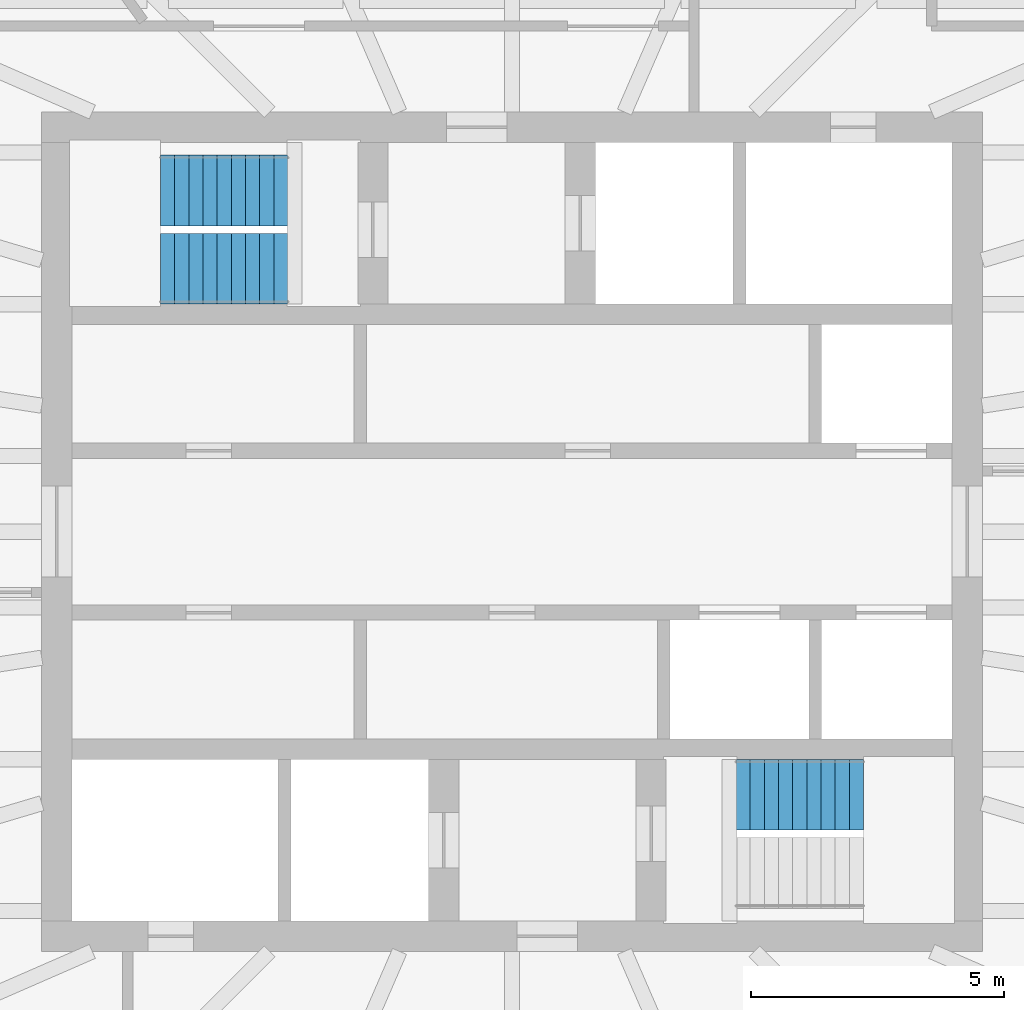
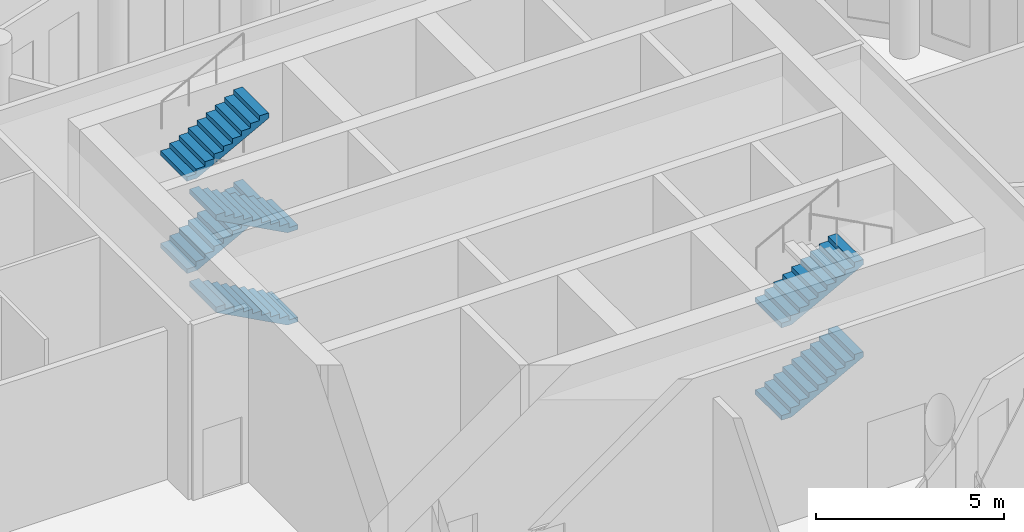
# One storey, part 8 of 11: 6 stair flights, 2 elements without a shape of their own.
"""IFC4 building model written with IfcOpenShell, lengths in metres."""

import ifcopenshell
import ifcopenshell.guid

model = None  # the IFC model being written
_history = None  # IfcOwnerHistory: only IFC2X3 demands one
_inside = {}  # id of a spatial element -> (the spatial element, [elements in it])
_under = {}  # id of a project, library or spatial element -> (it, [spatial elements below it])
_declared = {}  # id of a project -> (the project, [libraries it declares])
_typed = {}  # id of a type object -> (the type object, [elements of that type])
_made_of = {}  # id of a material, layer set ... -> (it, [elements and type objects made of it])


def new_model(schema):
    """Start an empty IFC model of exactly this schema.

    Asked for "IFC4X3", IfcOpenShell would pick the latest addendum, in which some entities
    have other attributes; the version numbers below select the first issue.
    IFC2X3 requires an IfcOwnerHistory on every rooted entity: one is made here for all.
    """
    global model, _history
    if schema == "IFC4X3":
        model = ifcopenshell.file(schema_version=(4, 3, 0, 0))
    else:
        model = ifcopenshell.file(schema=schema)
    _inside.clear()
    _under.clear()
    _declared.clear()
    _typed.clear()
    _made_of.clear()
    _history = None
    if model.schema == "IFC2X3":
        org = make("IfcOrganization", Name="unknown")
        user = make(
            "IfcPersonAndOrganization",
            ThePerson=make("IfcPerson", FamilyName="unknown"),
            TheOrganization=org,
        )
        app = make(
            "IfcApplication",
            ApplicationDeveloper=org,
            Version="unknown",
            ApplicationFullName="unknown",
            ApplicationIdentifier="unknown",
        )
        _history = make(
            "IfcOwnerHistory",
            OwningUser=user,
            OwningApplication=app,
            ChangeAction="ADDED",
            CreationDate=0,
        )
    return model


def make(cls, **values):
    """One entity of the class cls with the attributes given. An attribute that is None is left unset."""
    return model.create_entity(
        cls, **{name: value for name, value in values.items() if value is not None}
    )


def rooted(cls, **values):
    """An entity with a GlobalId (a new one), such as an element, a storey or a relation."""
    return make(cls, GlobalId=ifcopenshell.guid.new(), OwnerHistory=_history, **values)


def si_unit(unit_type, name, prefix=None):
    """IfcSIUnit, for example si_unit("LENGTHUNIT", "METRE", prefix="MILLI")."""
    return make("IfcSIUnit", UnitType=unit_type, Prefix=prefix, Name=name)


def assignment(units):
    """IfcUnitAssignment: the units of a project."""
    return None if units is None else make("IfcUnitAssignment", Units=units)


def point(xyz):
    """IfcCartesianPoint."""
    return None if xyz is None else make("IfcCartesianPoint", Coordinates=xyz)


def direction(xyz):
    """IfcDirection."""
    return None if xyz is None else make("IfcDirection", DirectionRatios=xyz)


def frame(location, z_axis=None, x_axis=None):
    """IfcAxis2Placement3D, a coordinate frame: its origin and axes. An axis left out is left unset."""
    return make(
        "IfcAxis2Placement3D",
        Location=point(location),
        Axis=direction(z_axis),
        RefDirection=direction(x_axis),
    )


def origin():
    """The frame at (0, 0, 0) with its axes left unset."""
    return frame((0.0, 0.0, 0.0))


def place(relative_to, where):
    """IfcLocalPlacement: puts the frame where relative to a parent placement (None: the world)."""
    return make(
        "IfcLocalPlacement", PlacementRelTo=relative_to, RelativePlacement=where
    )


def context(
    kind, dimensions, precision=None, world=None, true_north=None, identifier=None
):
    """IfcGeometricRepresentationContext, for example the 3D "Model" context."""
    return make(
        "IfcGeometricRepresentationContext",
        ContextIdentifier=identifier,
        ContextType=kind,
        CoordinateSpaceDimension=dimensions,
        Precision=precision,
        WorldCoordinateSystem=world,
        TrueNorth=true_north,
    )


def subcontext(parent, identifier, kind, view, scale=None):
    """IfcGeometricRepresentationSubContext, for example "Body" below "Model"."""
    return make(
        "IfcGeometricRepresentationSubContext",
        ContextIdentifier=identifier,
        ContextType=kind,
        ParentContext=parent,
        TargetScale=scale,
        TargetView=view,
    )


def project(units=None, contexts=None):
    """IfcProject with its units and contexts."""
    return rooted(
        "IfcProject",
        Name="project",
        RepresentationContexts=contexts,
        UnitsInContext=assignment(units),
    )


def spatial(cls, under=None, at=None, **own):
    """A site, building, storey or space (cls), placed at a placement, below another one or the project."""
    s = rooted(cls, ObjectPlacement=at, **own)
    if under is not None:
        _under.setdefault(under.id(), (under, []))[1].append(s)
    return s


def polyline(points):
    """IfcPolyline through the points."""
    return make("IfcPolyline", Points=[point(p) for p in points])


def outline(outer, holes=None, kind="AREA"):
    """IfcArbitraryClosedProfileDef: a profile drawn as a closed curve; with holes, ...WithVoids."""
    if holes is None:
        return make("IfcArbitraryClosedProfileDef", ProfileType=kind, OuterCurve=outer)
    return make(
        "IfcArbitraryProfileDefWithVoids",
        ProfileType=kind,
        OuterCurve=outer,
        InnerCurves=holes,
    )


def extrude(swept, where, along, depth):
    """IfcExtrudedAreaSolid: the profile swept, set in the frame where, extruded along a direction by depth."""
    return make(
        "IfcExtrudedAreaSolid",
        SweptArea=swept,
        Position=where,
        ExtrudedDirection=direction(along),
        Depth=depth,
    )


def shape(context_of_items, identifier, shape_type, items):
    """IfcShapeRepresentation: the items that make up one representation, for example the "Body"."""
    return make(
        "IfcShapeRepresentation",
        ContextOfItems=context_of_items,
        RepresentationIdentifier=identifier,
        RepresentationType=shape_type,
        Items=items,
    )


def material(Name=None, Category=None):
    """IfcMaterial."""
    return make("IfcMaterial", Name=Name, Category=Category)


def made_of(thing, what):
    """Note that an element or type object is made of a material, layer set ...; save() writes the relation."""
    if what is not None:
        _made_of.setdefault(what.id(), (what, []))[1].append(thing)
    return thing


def type_object(cls, material=None, **own):
    """A type object (cls), such as IfcWallType, which elements share."""
    return made_of(rooted(cls, **own), material)


def element(
    cls,
    number,
    at=None,
    inside=None,
    cuts=None,
    type_object=None,
    material=None,
    context=None,
    identifier="Body",
    shape_type=None,
    held_by="IfcProductDefinitionShape",
    body=None,
    shapes=None,
    **own,
):
    """One element of the class cls, such as IfcWall. Its Tag is "e" and its number.

    at: its placement. inside: the storey or other place that contains it. cuts: it is an
    opening in that element (IfcRelVoidsElement). A single representation is given by context,
    identifier, shape_type and body (its items); several are given by shapes. held_by: the class
    of the entity that holds the representations. save() writes the other relations.
    """
    e = rooted(cls, Tag="e%d" % number, ObjectPlacement=at, **own)
    if body is not None:
        shapes = [shape(context, identifier, shape_type, body)]
    if shapes is not None:
        e.Representation = make(held_by, Representations=shapes)
    if inside is not None:
        _inside.setdefault(inside.id(), (inside, []))[1].append(e)
    if cuts is not None:
        rooted(
            "IfcRelVoidsElement", RelatingBuildingElement=cuts, RelatedOpeningElement=e
        )
    if type_object is not None:
        _typed.setdefault(type_object.id(), (type_object, []))[1].append(e)
    return made_of(e, material)


def aggregate(whole, parts):
    """IfcRelAggregates: a whole, such as a stair, and the parts it consists of."""
    return rooted("IfcRelAggregates", RelatingObject=whole, RelatedObjects=parts)


def save(model, path):
    """Write the relations noted so far, then the file.

    IfcRelAggregates (storeys below a building ...), IfcRelContainedInSpatialStructure (elements
    in a storey), IfcRelDefinesByType, IfcRelAssociatesMaterial and IfcRelDeclares: one each for
    every whole, place, type object, material and project.
    """
    for whole, parts in _under.values():
        aggregate(whole, parts)
    for where, things in _inside.values():
        rooted(
            "IfcRelContainedInSpatialStructure",
            RelatedElements=things,
            RelatingStructure=where,
        )
    for kind, things in _typed.values():
        rooted("IfcRelDefinesByType", RelatedObjects=things, RelatingType=kind)
    for what, things in _made_of.values():
        rooted("IfcRelAssociatesMaterial", RelatedObjects=things, RelatingMaterial=what)
    for by, libraries in _declared.values():
        rooted("IfcRelDeclares", RelatingContext=by, RelatedDefinitions=libraries)
    model.write(path)


model = new_model("IFC4")

# Units and contexts
model_context = context("Model", 3, precision=1e-05, world=origin(), true_north=direction((0.0, 1.0)))
body_context = subcontext(model_context, "Body", "Model", "MODEL_VIEW")
ifc_project = project(units=[si_unit("LENGTHUNIT", "METRE"), si_unit("AREAUNIT", "SQUARE_METRE"), si_unit("VOLUMEUNIT", "CUBIC_METRE"), si_unit("PLANEANGLEUNIT", "RADIAN"), si_unit("MASSUNIT", "GRAM", prefix="KILO")], contexts=[model_context])

# Site, building, storey
site_placement = place(None, origin())
site = spatial("IfcSite", under=ifc_project, at=site_placement, CompositionType="ELEMENT")
building_placement = place(site_placement, origin())
building = spatial("IfcBuilding", under=site, at=building_placement, Name="Hankou Lantern Tower", CompositionType="ELEMENT")
storey_placement = place(building_placement, frame((0.0, 0.0, 242.699951171875)))
storey = spatial("IfcBuildingStorey", under=building, at=storey_placement, Name="L65", CompositionType="ELEMENT", Elevation=242.699951171875)

# Stair, stair flights
ifc_material_1 = material(Name="Concrete C40", Category="concrete")
stair_type = type_object("IfcStairType", Name="ST60 CORE STAIR 6000 RISE", PredefinedType="HALF_TURN_STAIR", material=ifc_material_1)
stair_1_placement = place(storey_placement, origin())
stair_1 = element("IfcStair", 1, at=stair_1_placement, inside=storey, type_object=stair_type, Name="Stair STA L65", PredefinedType="HALF_TURN_STAIR")
ifc_material_2 = material(Name="Concrete C40", Category="concrete")
stair_flight_type = type_object("IfcStairFlightType", Name="CF10 CORE STAIR FLIGHT 1400 X 10 RISERS", PredefinedType="STRAIGHT", material=ifc_material_2)
stair_flight_1_placement = place(storey_placement, frame((-4.429931640625, 5.199951171875, 0.0), z_axis=(0.0, 0.0, 1.0), x_axis=(-1.0, 0.0, 0.0)))
stair_flight_1 = element("IfcStairFlight", 2, at=stair_flight_1_placement, type_object=stair_flight_type, Name="STA flight 1", NumberOfRisers=10, NumberOfTreads=9, PredefinedType="STRAIGHT", RiserHeight=0.15, TreadLength=0.28, context=body_context, shape_type="SweptSolid", body=[
    extrude(outline(polyline([(0.0, 0.0), (0.0, 0.14990234375), (0.280029296875, 0.14990234375), (0.280029296875, 0.300048828125), (0.56005859375, 0.300048828125), (0.56005859375, 0.449951171875), (0.840087890625, 0.449951171875), (0.840087890625, 0.60009765625), (1.1201171875, 0.60009765625), (1.1201171875, 0.75), (1.39990234375, 0.75), (1.39990234375, 0.89990234375), (1.679931640625, 0.89990234375), (1.679931640625, 1.050048828125), (1.9599609375, 1.050048828125), (1.9599609375, 1.199951171875), (2.239990234375, 1.199951171875), (2.239990234375, 1.35009765625), (2.52001953125, 1.35009765625), (2.52001953125, 1.5), (2.52001953125, 1.179931640625), (0.3173828125, 0.0), (0.0, 0.0)])), frame((0.0, 0.699951171875, 0.0), z_axis=(0.0, -1.0, 0.0), x_axis=(1.0, 0.0, 0.0)), (0.0, 0.0, 1.0), 1.39990234375),
])
stair_flight_2_placement = place(storey_placement, frame((-6.949951171875, 6.75, 1.5), z_axis=(0.0, 0.0, 1.0), x_axis=(1.0, 0.0, 0.0)))
stair_flight_2 = element("IfcStairFlight", 3, at=stair_flight_2_placement, type_object=stair_flight_type, Name="STA flight 2", NumberOfRisers=10, NumberOfTreads=9, PredefinedType="STRAIGHT", RiserHeight=0.15, TreadLength=0.28, context=body_context, shape_type="SweptSolid", body=[
    extrude(outline(polyline([(0.0, 0.0), (0.0, 0.14990234375), (0.280029296875, 0.14990234375), (0.280029296875, 0.300048828125), (0.56005859375, 0.300048828125), (0.56005859375, 0.449951171875), (0.840087890625, 0.449951171875), (0.840087890625, 0.60009765625), (1.1201171875, 0.60009765625), (1.1201171875, 0.75), (1.39990234375, 0.75), (1.39990234375, 0.89990234375), (1.679931640625, 0.89990234375), (1.679931640625, 1.050048828125), (1.9599609375, 1.050048828125), (1.9599609375, 1.199951171875), (2.239990234375, 1.199951171875), (2.239990234375, 1.35009765625), (2.52001953125, 1.35009765625), (2.52001953125, 1.5), (2.52001953125, 1.179931640625), (0.3173828125, 0.0), (0.0, 0.0)])), frame((0.0, 0.699951171875, 0.0), z_axis=(0.0, -1.0, 0.0), x_axis=(1.0, 0.0, 0.0)), (0.0, 0.0, 1.0), 1.39990234375),
])
stair_flight_3_placement = place(storey_placement, frame((-4.429931640625, 5.199951171875, 3.0), z_axis=(0.0, 0.0, 1.0), x_axis=(-1.0, 0.0, 0.0)))
stair_flight_3 = element("IfcStairFlight", 4, at=stair_flight_3_placement, type_object=stair_flight_type, Name="STA flight 3", NumberOfRisers=10, NumberOfTreads=9, PredefinedType="STRAIGHT", RiserHeight=0.15, TreadLength=0.28, context=body_context, shape_type="SweptSolid", body=[
    extrude(outline(polyline([(0.0, 0.0), (0.0, 0.14990234375), (0.280029296875, 0.14990234375), (0.280029296875, 0.300048828125), (0.56005859375, 0.300048828125), (0.56005859375, 0.449951171875), (0.840087890625, 0.449951171875), (0.840087890625, 0.60009765625), (1.1201171875, 0.60009765625), (1.1201171875, 0.75), (1.39990234375, 0.75), (1.39990234375, 0.89990234375), (1.679931640625, 0.89990234375), (1.679931640625, 1.050048828125), (1.9599609375, 1.050048828125), (1.9599609375, 1.199951171875), (2.239990234375, 1.199951171875), (2.239990234375, 1.35009765625), (2.52001953125, 1.35009765625), (2.52001953125, 1.5), (2.52001953125, 1.179931640625), (0.3173828125, 0.0), (0.0, 0.0)])), frame((0.0, 0.699951171875, 0.0), z_axis=(0.0, -1.0, 0.0), x_axis=(1.0, 0.0, 0.0)), (0.0, 0.0, 1.0), 1.39990234375),
])
stair_flight_4_placement = place(storey_placement, frame((-6.949951171875, 6.75, 4.5), z_axis=(0.0, 0.0, 1.0), x_axis=(1.0, 0.0, 0.0)))
stair_flight_4 = element("IfcStairFlight", 5, at=stair_flight_4_placement, type_object=stair_flight_type, Name="STA flight 4", NumberOfRisers=10, NumberOfTreads=9, PredefinedType="STRAIGHT", RiserHeight=0.15, TreadLength=0.28, context=body_context, shape_type="SweptSolid", body=[
    extrude(outline(polyline([(0.0, 0.0), (0.0, 0.14990234375), (0.280029296875, 0.14990234375), (0.280029296875, 0.300048828125), (0.56005859375, 0.300048828125), (0.56005859375, 0.449951171875), (0.840087890625, 0.449951171875), (0.840087890625, 0.60009765625), (1.1201171875, 0.60009765625), (1.1201171875, 0.75), (1.39990234375, 0.75), (1.39990234375, 0.89990234375), (1.679931640625, 0.89990234375), (1.679931640625, 1.050048828125), (1.9599609375, 1.050048828125), (1.9599609375, 1.199951171875), (2.239990234375, 1.199951171875), (2.239990234375, 1.35009765625), (2.52001953125, 1.35009765625), (2.52001953125, 1.5), (2.52001953125, 1.179931640625), (0.3173828125, 0.0), (0.0, 0.0)])), frame((0.0, 0.699951171875, 0.0), z_axis=(0.0, -1.0, 0.0), x_axis=(1.0, 0.0, 0.0)), (0.0, 0.0, 1.0), 1.39990234375),
])
aggregate(stair_1, [stair_flight_1, stair_flight_2, stair_flight_3, stair_flight_4])

stair_2_placement = place(storey_placement, origin())
stair_2 = element("IfcStair", 6, at=stair_2_placement, inside=storey, type_object=stair_type, Name="Stair STB L65", PredefinedType="HALF_TURN_STAIR")
stair_flight_5_placement = place(storey_placement, frame((4.429931640625, -5.199951171875, 0.0), z_axis=(0.0, 0.0, 1.0), x_axis=(1.0, 0.0, 0.0)))
stair_flight_5 = element("IfcStairFlight", 7, at=stair_flight_5_placement, type_object=stair_flight_type, Name="STB flight 1", NumberOfRisers=10, NumberOfTreads=9, PredefinedType="STRAIGHT", RiserHeight=0.15, TreadLength=0.28, context=body_context, shape_type="SweptSolid", body=[
    extrude(outline(polyline([(0.0, 0.0), (0.0, 0.14990234375), (0.280029296875, 0.14990234375), (0.280029296875, 0.300048828125), (0.56005859375, 0.300048828125), (0.56005859375, 0.449951171875), (0.840087890625, 0.449951171875), (0.840087890625, 0.60009765625), (1.1201171875, 0.60009765625), (1.1201171875, 0.75), (1.39990234375, 0.75), (1.39990234375, 0.89990234375), (1.679931640625, 0.89990234375), (1.679931640625, 1.050048828125), (1.9599609375, 1.050048828125), (1.9599609375, 1.199951171875), (2.239990234375, 1.199951171875), (2.239990234375, 1.35009765625), (2.52001953125, 1.35009765625), (2.52001953125, 1.5), (2.52001953125, 1.179931640625), (0.3173828125, 0.0), (0.0, 0.0)])), frame((0.0, 0.699951171875, 0.0), z_axis=(0.0, -1.0, 0.0), x_axis=(1.0, 0.0, 0.0)), (0.0, 0.0, 1.0), 1.39990234375),
])
stair_flight_6_placement = place(storey_placement, frame((4.429931640625, -5.199951171875, 3.0), z_axis=(0.0, 0.0, 1.0), x_axis=(1.0, 0.0, 0.0)))
stair_flight_6 = element("IfcStairFlight", 8, at=stair_flight_6_placement, type_object=stair_flight_type, Name="STB flight 3", NumberOfRisers=10, NumberOfTreads=9, PredefinedType="STRAIGHT", RiserHeight=0.15, TreadLength=0.28, context=body_context, shape_type="SweptSolid", body=[
    extrude(outline(polyline([(0.0, 0.0), (0.0, 0.14990234375), (0.280029296875, 0.14990234375), (0.280029296875, 0.300048828125), (0.56005859375, 0.300048828125), (0.56005859375, 0.449951171875), (0.840087890625, 0.449951171875), (0.840087890625, 0.60009765625), (1.1201171875, 0.60009765625), (1.1201171875, 0.75), (1.39990234375, 0.75), (1.39990234375, 0.89990234375), (1.679931640625, 0.89990234375), (1.679931640625, 1.050048828125), (1.9599609375, 1.050048828125), (1.9599609375, 1.199951171875), (2.239990234375, 1.199951171875), (2.239990234375, 1.35009765625), (2.52001953125, 1.35009765625), (2.52001953125, 1.5), (2.52001953125, 1.179931640625), (0.3173828125, 0.0), (0.0, 0.0)])), frame((0.0, 0.699951171875, 0.0), z_axis=(0.0, -1.0, 0.0), x_axis=(1.0, 0.0, 0.0)), (0.0, 0.0, 1.0), 1.39990234375),
])
aggregate(stair_2, [stair_flight_5, stair_flight_6])

save(model, "model.ifc")
